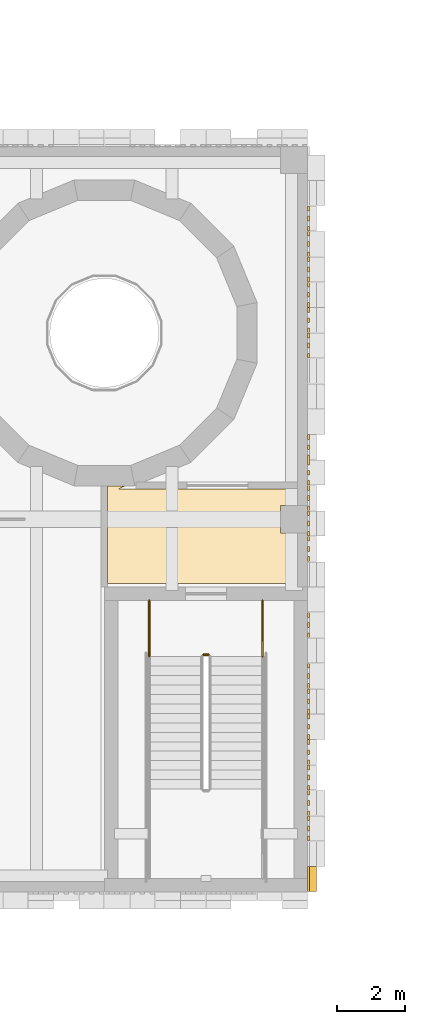
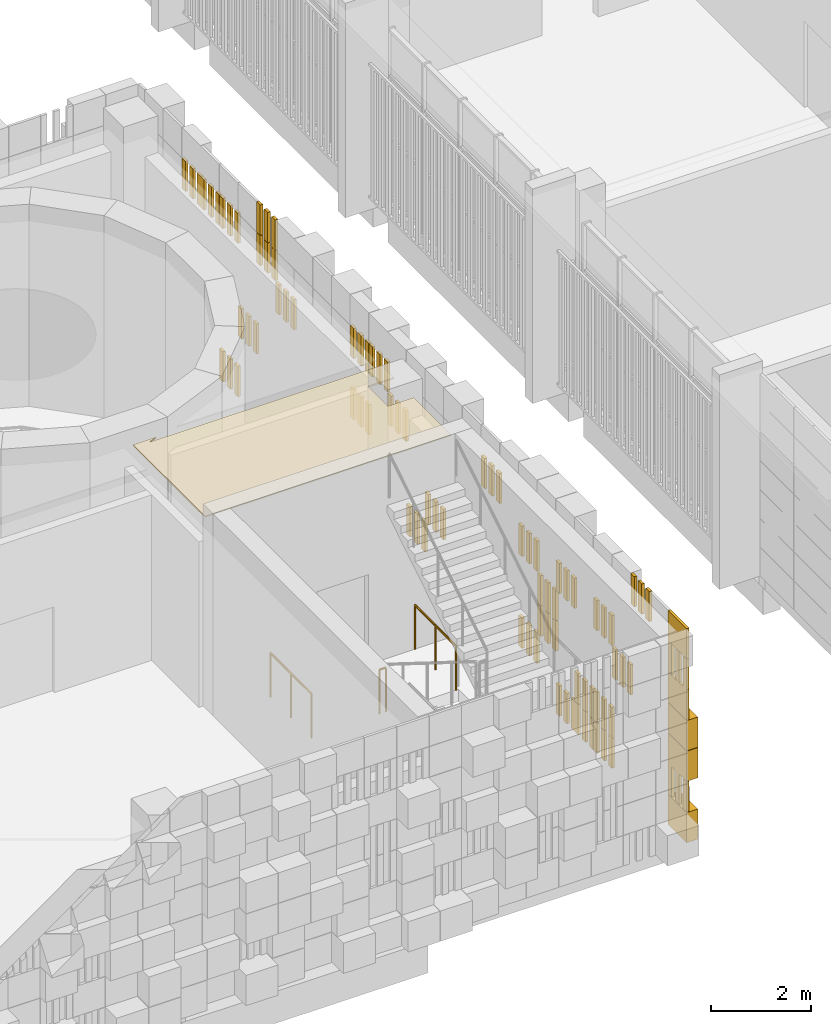
# One storey, part 105 of 125: 3 railings, 2 coverings.
"""IFC4 building model written with IfcOpenShell, lengths in metres."""

from ifc_helpers import new_model, si_unit, direction, frame, origin, origin_2d, place, context, subcontext, project, spatial, polyline, rectangle, circle, outline, extrude, material, layer, layer_set, type_object, element, save


model = new_model("IFC4")

# Units and contexts
model_context = context("Model", 3, precision=1e-05, world=origin(), true_north=direction((0.0, 1.0)))
body_context = subcontext(model_context, "Body", "Model", "MODEL_VIEW")
ifc_project = project(units=[si_unit("LENGTHUNIT", "METRE"), si_unit("AREAUNIT", "SQUARE_METRE"), si_unit("VOLUMEUNIT", "CUBIC_METRE"), si_unit("PLANEANGLEUNIT", "RADIAN"), si_unit("MASSUNIT", "GRAM", prefix="KILO")], contexts=[model_context])

# Site, building, storey
site_placement = place(None, origin())
site = spatial("IfcSite", under=ifc_project, at=site_placement, CompositionType="ELEMENT")
building_placement = place(site_placement, origin())
building = spatial("IfcBuilding", under=site, at=building_placement, Name="Sun Court Science Centre", CompositionType="ELEMENT")
storey_placement = place(building_placement, frame((0.0, 0.0, 6.0)))
storey = spatial("IfcBuildingStorey", under=building, at=storey_placement, Name="L01", CompositionType="ELEMENT", Elevation=6.0)

# Covering
ifc_material_1 = material(Name="Gypsum board")
ifc_layer_1 = layer(ifc_material_1, 0.030029296875)
ifc_layer_set_1 = layer_set([ifc_layer_1], Name="Gypsum board")
covering_type_1 = type_object("IfcCoveringType", Name="Ceiling suspended 600 module", PredefinedType="CEILING", material=ifc_layer_set_1)
covering_1_placement = place(storey_placement, frame((0.0, 0.0, 4.52001953125)))
element("IfcCovering", 1, at=covering_1_placement, inside=storey, type_object=covering_type_1, Name="L01-027 ceiling", PredefinedType="CEILING", context=body_context, shape_type="SweptSolid", body=[
    extrude(outline(polyline([(71.800048828125, 15.10009765625), (66.10009765625, 15.10009765625), (66.10009765625, 17.98828125), (66.635986328125, 17.98828125), (66.4345703125, 17.90478515625), (66.435546875, 17.89990234375), (71.800048828125, 17.89990234375), (71.800048828125, 17.39990234375), (71.199951171875, 17.39990234375), (71.199951171875, 16.60009765625), (71.800048828125, 16.60009765625), (71.800048828125, 15.10009765625)])), origin(), (0.0, 0.0, 1.0), 0.030029296875),
])

# Railings
ifc_material_2 = material(Name="Steel S275", Category="steel")
railing_type = type_object("IfcRailingType", Name="Guard 1100 steel balustrade", PredefinedType="GUARDRAIL", material=ifc_material_2)
railing_placement = place(storey_placement, frame((68.925048828125, 13.001953125, 0.0)))
element("IfcRailing", 2, at=railing_placement, inside=storey, type_object=railing_type, Name="L01 SB3 stair guard 6", PredefinedType="GUARDRAIL", context=body_context, shape_type="SweptSolid", body=[
    extrude(circle(Radius=0.02392578125, at=origin_2d()), frame((0.0, 0.0, 1.076171875), z_axis=(1.0, 0.0, 0.0), x_axis=(0.0, 1.0, 0.0)), (0.0, 0.0, 1.0), 0.14990234375),
    extrude(circle(Radius=0.02099609375, at=origin_2d()), origin(), (0.0, 0.0, 1.0), 1.052001953125),
    extrude(circle(Radius=0.02099609375, at=origin_2d()), frame((0.14990234375, 0.0, 0.0)), (0.0, 0.0, 1.0), 1.052001953125),
])
for number, where, name in (
    (3, (67.326904296875, 14.60009765625, 0.0), "L01 SB3 stair guard 7"),
    (4, (70.673095703125, 14.60009765625, 0.0), "L01 SB3 stair guard 8"),
):
    element("IfcRailing", number, at=place(storey_placement, frame(where)), inside=storey, type_object=railing_type, Name=name, PredefinedType="GUARDRAIL", context=body_context, shape_type="SweptSolid", body=[
        extrude(circle(Radius=0.02392578125, at=origin_2d()), frame((0.0, 0.0, 1.076171875), z_axis=(0.0, -1.0, 0.0), x_axis=(1.0, 0.0, 0.0)), (0.0, 0.0, 1.0), 1.648193359375),
        extrude(circle(Radius=0.02099609375, at=origin_2d()), origin(), (0.0, 0.0, 1.0), 1.052001953125),
        extrude(circle(Radius=0.02099609375, at=origin_2d()), frame((0.0, -0.82421875, 0.0)), (0.0, 0.0, 1.0), 1.052001953125),
        extrude(circle(Radius=0.02099609375, at=origin_2d()), frame((0.0, -1.648193359375, 0.0)), (0.0, 0.0, 1.0), 1.052001953125),
    ])

# Covering
ifc_material_3 = material(Name="Terracotta jali", Category="masonry")
ifc_layer_2 = layer(ifc_material_3, 0.06005859375)
ifc_layer_set_2 = layer_set([ifc_layer_2], Name="Terracotta jali")
covering_type_2 = type_object("IfcCoveringType", Name="Terracotta open jali panel", PredefinedType="CLADDING", material=ifc_layer_set_2)
covering_2_placement = place(storey_placement, frame((0.0, 0.0, -6.0)))
element("IfcCovering", 5, at=covering_2_placement, inside=storey, type_object=covering_type_2, Name="Open jali pixel cladding east face L01", PredefinedType="CLADDING", context=body_context, shape_type="SweptSolid", body=[
    extrude(rectangle(XDim=0.139892578125, YDim=0.06005859375, at=origin_2d()), frame((72.030029296875, 24.675048828125, 6.0048828125), z_axis=(0.0, 0.0, 1.0), x_axis=(0.0, -1.0, 0.0)), (0.0, 0.0, 1.0), 0.739990234375),
    extrude(rectangle(XDim=0.139892578125, YDim=0.06005859375, at=origin_2d()), frame((72.030029296875, 24.375, 6.0048828125), z_axis=(0.0, 0.0, 1.0), x_axis=(0.0, -1.0, 0.0)), (0.0, 0.0, 1.0), 0.739990234375),
    extrude(rectangle(XDim=0.139892578125, YDim=0.06005859375, at=origin_2d()), frame((72.030029296875, 24.074951171875, 6.0048828125), z_axis=(0.0, 0.0, 1.0), x_axis=(0.0, -1.0, 0.0)), (0.0, 0.0, 1.0), 0.739990234375),
    extrude(rectangle(XDim=0.139892578125, YDim=0.06005859375, at=origin_2d()), frame((72.030029296875, 11.175048828125, 6.0048828125), z_axis=(0.0, 0.0, 1.0), x_axis=(0.0, -1.0, 0.0)), (0.0, 0.0, 1.0), 0.739990234375),
    extrude(rectangle(XDim=0.139892578125, YDim=0.06005859375, at=origin_2d()), frame((72.030029296875, 10.875, 6.0048828125), z_axis=(0.0, 0.0, 1.0), x_axis=(0.0, -1.0, 0.0)), (0.0, 0.0, 1.0), 0.739990234375),
    extrude(rectangle(XDim=0.139892578125, YDim=0.06005859375, at=origin_2d()), frame((72.030029296875, 10.574951171875, 6.0048828125), z_axis=(0.0, 0.0, 1.0), x_axis=(0.0, -1.0, 0.0)), (0.0, 0.0, 1.0), 0.739990234375),
    extrude(rectangle(XDim=0.139892578125, YDim=0.06005859375, at=origin_2d()), frame((72.030029296875, 10.425048828125, 6.0048828125), z_axis=(0.0, 0.0, 1.0), x_axis=(0.0, -1.0, 0.0)), (0.0, 0.0, 1.0), 0.739990234375),
    extrude(rectangle(XDim=0.139892578125, YDim=0.06005859375, at=origin_2d()), frame((72.030029296875, 10.125, 6.0048828125), z_axis=(0.0, 0.0, 1.0), x_axis=(0.0, -1.0, 0.0)), (0.0, 0.0, 1.0), 0.739990234375),
    extrude(rectangle(XDim=0.139892578125, YDim=0.06005859375, at=origin_2d()), frame((72.030029296875, 9.824951171875, 6.0048828125), z_axis=(0.0, 0.0, 1.0), x_axis=(0.0, -1.0, 0.0)), (0.0, 0.0, 1.0), 0.739990234375),
    extrude(rectangle(XDim=0.139892578125, YDim=0.06005859375, at=origin_2d()), frame((72.030029296875, 9.675048828125, 6.0048828125), z_axis=(0.0, 0.0, 1.0), x_axis=(0.0, -1.0, 0.0)), (0.0, 0.0, 1.0), 0.739990234375),
    extrude(rectangle(XDim=0.139892578125, YDim=0.06005859375, at=origin_2d()), frame((72.030029296875, 9.375, 6.0048828125), z_axis=(0.0, 0.0, 1.0), x_axis=(0.0, -1.0, 0.0)), (0.0, 0.0, 1.0), 0.739990234375),
    extrude(rectangle(XDim=0.139892578125, YDim=0.06005859375, at=origin_2d()), frame((72.030029296875, 9.074951171875, 6.0048828125), z_axis=(0.0, 0.0, 1.0), x_axis=(0.0, -1.0, 0.0)), (0.0, 0.0, 1.0), 0.739990234375),
    extrude(rectangle(XDim=0.139892578125, YDim=0.06005859375, at=origin_2d()), frame((72.030029296875, 17.175048828125, 6.7548828125), z_axis=(0.0, 0.0, 1.0), x_axis=(0.0, -1.0, 0.0)), (0.0, 0.0, 1.0), 0.739990234375),
    extrude(rectangle(XDim=0.139892578125, YDim=0.06005859375, at=origin_2d()), frame((72.030029296875, 16.875, 6.7548828125), z_axis=(0.0, 0.0, 1.0), x_axis=(0.0, -1.0, 0.0)), (0.0, 0.0, 1.0), 0.739990234375),
    extrude(rectangle(XDim=0.139892578125, YDim=0.06005859375, at=origin_2d()), frame((72.030029296875, 16.574951171875, 6.7548828125), z_axis=(0.0, 0.0, 1.0), x_axis=(0.0, -1.0, 0.0)), (0.0, 0.0, 1.0), 0.739990234375),
    extrude(rectangle(XDim=0.139892578125, YDim=0.06005859375, at=origin_2d()), frame((72.030029296875, 12.675048828125, 6.7548828125), z_axis=(0.0, 0.0, 1.0), x_axis=(0.0, -1.0, 0.0)), (0.0, 0.0, 1.0), 0.739990234375),
    extrude(rectangle(XDim=0.139892578125, YDim=0.06005859375, at=origin_2d()), frame((72.030029296875, 12.375, 6.7548828125), z_axis=(0.0, 0.0, 1.0), x_axis=(0.0, -1.0, 0.0)), (0.0, 0.0, 1.0), 0.739990234375),
    extrude(rectangle(XDim=0.139892578125, YDim=0.06005859375, at=origin_2d()), frame((72.030029296875, 12.074951171875, 6.7548828125), z_axis=(0.0, 0.0, 1.0), x_axis=(0.0, -1.0, 0.0)), (0.0, 0.0, 1.0), 0.739990234375),
    extrude(rectangle(XDim=0.139892578125, YDim=0.06005859375, at=origin_2d()), frame((72.030029296875, 10.425048828125, 6.7548828125), z_axis=(0.0, 0.0, 1.0), x_axis=(0.0, -1.0, 0.0)), (0.0, 0.0, 1.0), 0.739990234375),
    extrude(rectangle(XDim=0.139892578125, YDim=0.06005859375, at=origin_2d()), frame((72.030029296875, 10.125, 6.7548828125), z_axis=(0.0, 0.0, 1.0), x_axis=(0.0, -1.0, 0.0)), (0.0, 0.0, 1.0), 0.739990234375),
    extrude(rectangle(XDim=0.139892578125, YDim=0.06005859375, at=origin_2d()), frame((72.030029296875, 9.824951171875, 6.7548828125), z_axis=(0.0, 0.0, 1.0), x_axis=(0.0, -1.0, 0.0)), (0.0, 0.0, 1.0), 0.739990234375),
    extrude(rectangle(XDim=0.139892578125, YDim=0.06005859375, at=origin_2d()), frame((72.030029296875, 9.675048828125, 6.7548828125), z_axis=(0.0, 0.0, 1.0), x_axis=(0.0, -1.0, 0.0)), (0.0, 0.0, 1.0), 0.739990234375),
    extrude(rectangle(XDim=0.139892578125, YDim=0.06005859375, at=origin_2d()), frame((72.030029296875, 9.375, 6.7548828125), z_axis=(0.0, 0.0, 1.0), x_axis=(0.0, -1.0, 0.0)), (0.0, 0.0, 1.0), 0.739990234375),
    extrude(rectangle(XDim=0.139892578125, YDim=0.06005859375, at=origin_2d()), frame((72.030029296875, 9.074951171875, 6.7548828125), z_axis=(0.0, 0.0, 1.0), x_axis=(0.0, -1.0, 0.0)), (0.0, 0.0, 1.0), 0.739990234375),
    extrude(rectangle(XDim=0.139892578125, YDim=0.06005859375, at=origin_2d()), frame((72.030029296875, 6.675048828125, 6.7548828125), z_axis=(0.0, 0.0, 1.0), x_axis=(0.0, -1.0, 0.0)), (0.0, 0.0, 1.0), 0.739990234375),
    extrude(rectangle(XDim=0.139892578125, YDim=0.06005859375, at=origin_2d()), frame((72.030029296875, 6.375, 6.7548828125), z_axis=(0.0, 0.0, 1.0), x_axis=(0.0, -1.0, 0.0)), (0.0, 0.0, 1.0), 0.739990234375),
    extrude(rectangle(XDim=0.139892578125, YDim=0.06005859375, at=origin_2d()), frame((72.030029296875, 6.074951171875, 6.7548828125), z_axis=(0.0, 0.0, 1.0), x_axis=(0.0, -1.0, 0.0)), (0.0, 0.0, 1.0), 0.739990234375),
    extrude(rectangle(XDim=0.139892578125, YDim=0.06005859375, at=origin_2d()), frame((72.030029296875, 23.925048828125, 7.5048828125), z_axis=(0.0, 0.0, 1.0), x_axis=(0.0, -1.0, 0.0)), (0.0, 0.0, 1.0), 0.739990234375),
    extrude(rectangle(XDim=0.139892578125, YDim=0.06005859375, at=origin_2d()), frame((72.030029296875, 23.625, 7.5048828125), z_axis=(0.0, 0.0, 1.0), x_axis=(0.0, -1.0, 0.0)), (0.0, 0.0, 1.0), 0.739990234375),
    extrude(rectangle(XDim=0.139892578125, YDim=0.06005859375, at=origin_2d()), frame((72.030029296875, 23.324951171875, 7.5048828125), z_axis=(0.0, 0.0, 1.0), x_axis=(0.0, -1.0, 0.0)), (0.0, 0.0, 1.0), 0.739990234375),
    extrude(rectangle(XDim=0.139892578125, YDim=0.06005859375, at=origin_2d()), frame((72.030029296875, 16.425048828125, 7.5048828125), z_axis=(0.0, 0.0, 1.0), x_axis=(0.0, -1.0, 0.0)), (0.0, 0.0, 1.0), 0.739990234375),
    extrude(rectangle(XDim=0.139892578125, YDim=0.06005859375, at=origin_2d()), frame((72.030029296875, 16.125, 7.5048828125), z_axis=(0.0, 0.0, 1.0), x_axis=(0.0, -1.0, 0.0)), (0.0, 0.0, 1.0), 0.739990234375),
    extrude(rectangle(XDim=0.139892578125, YDim=0.06005859375, at=origin_2d()), frame((72.030029296875, 15.824951171875, 7.5048828125), z_axis=(0.0, 0.0, 1.0), x_axis=(0.0, -1.0, 0.0)), (0.0, 0.0, 1.0), 0.739990234375),
    extrude(rectangle(XDim=0.139892578125, YDim=0.06005859375, at=origin_2d()), frame((72.030029296875, 11.925048828125, 7.5048828125), z_axis=(0.0, 0.0, 1.0), x_axis=(0.0, -1.0, 0.0)), (0.0, 0.0, 1.0), 0.739990234375),
    extrude(rectangle(XDim=0.139892578125, YDim=0.06005859375, at=origin_2d()), frame((72.030029296875, 11.625, 7.5048828125), z_axis=(0.0, 0.0, 1.0), x_axis=(0.0, -1.0, 0.0)), (0.0, 0.0, 1.0), 0.739990234375),
    extrude(rectangle(XDim=0.139892578125, YDim=0.06005859375, at=origin_2d()), frame((72.030029296875, 11.324951171875, 7.5048828125), z_axis=(0.0, 0.0, 1.0), x_axis=(0.0, -1.0, 0.0)), (0.0, 0.0, 1.0), 0.739990234375),
    extrude(rectangle(XDim=0.139892578125, YDim=0.06005859375, at=origin_2d()), frame((72.030029296875, 19.425048828125, 8.2548828125), z_axis=(0.0, 0.0, 1.0), x_axis=(0.0, -1.0, 0.0)), (0.0, 0.0, 1.0), 0.739990234375),
    extrude(rectangle(XDim=0.139892578125, YDim=0.06005859375, at=origin_2d()), frame((72.030029296875, 19.125, 8.2548828125), z_axis=(0.0, 0.0, 1.0), x_axis=(0.0, -1.0, 0.0)), (0.0, 0.0, 1.0), 0.739990234375),
    extrude(rectangle(XDim=0.139892578125, YDim=0.06005859375, at=origin_2d()), frame((72.030029296875, 18.824951171875, 8.2548828125), z_axis=(0.0, 0.0, 1.0), x_axis=(0.0, -1.0, 0.0)), (0.0, 0.0, 1.0), 0.739990234375),
    extrude(rectangle(XDim=0.139892578125, YDim=0.06005859375, at=origin_2d()), frame((72.030029296875, 11.925048828125, 8.2548828125), z_axis=(0.0, 0.0, 1.0), x_axis=(0.0, -1.0, 0.0)), (0.0, 0.0, 1.0), 0.739990234375),
    extrude(rectangle(XDim=0.139892578125, YDim=0.06005859375, at=origin_2d()), frame((72.030029296875, 11.625, 8.2548828125), z_axis=(0.0, 0.0, 1.0), x_axis=(0.0, -1.0, 0.0)), (0.0, 0.0, 1.0), 0.739990234375),
    extrude(rectangle(XDim=0.139892578125, YDim=0.06005859375, at=origin_2d()), frame((72.030029296875, 11.324951171875, 8.2548828125), z_axis=(0.0, 0.0, 1.0), x_axis=(0.0, -1.0, 0.0)), (0.0, 0.0, 1.0), 0.739990234375),
    extrude(rectangle(XDim=0.139892578125, YDim=0.06005859375, at=origin_2d()), frame((72.030029296875, 8.925048828125, 8.2548828125), z_axis=(0.0, 0.0, 1.0), x_axis=(0.0, -1.0, 0.0)), (0.0, 0.0, 1.0), 0.739990234375),
    extrude(rectangle(XDim=0.139892578125, YDim=0.06005859375, at=origin_2d()), frame((72.030029296875, 8.625, 8.2548828125), z_axis=(0.0, 0.0, 1.0), x_axis=(0.0, -1.0, 0.0)), (0.0, 0.0, 1.0), 0.739990234375),
    extrude(rectangle(XDim=0.139892578125, YDim=0.06005859375, at=origin_2d()), frame((72.030029296875, 8.324951171875, 8.2548828125), z_axis=(0.0, 0.0, 1.0), x_axis=(0.0, -1.0, 0.0)), (0.0, 0.0, 1.0), 0.739990234375),
    extrude(rectangle(XDim=0.139892578125, YDim=0.06005859375, at=origin_2d()), frame((72.030029296875, 22.425048828125, 9.0048828125), z_axis=(0.0, 0.0, 1.0), x_axis=(0.0, -1.0, 0.0)), (0.0, 0.0, 1.0), 0.739990234375),
    extrude(rectangle(XDim=0.139892578125, YDim=0.06005859375, at=origin_2d()), frame((72.030029296875, 22.125, 9.0048828125), z_axis=(0.0, 0.0, 1.0), x_axis=(0.0, -1.0, 0.0)), (0.0, 0.0, 1.0), 0.739990234375),
    extrude(rectangle(XDim=0.139892578125, YDim=0.06005859375, at=origin_2d()), frame((72.030029296875, 21.824951171875, 9.0048828125), z_axis=(0.0, 0.0, 1.0), x_axis=(0.0, -1.0, 0.0)), (0.0, 0.0, 1.0), 0.739990234375),
    extrude(rectangle(XDim=0.139892578125, YDim=0.06005859375, at=origin_2d()), frame((72.030029296875, 17.925048828125, 9.0048828125), z_axis=(0.0, 0.0, 1.0), x_axis=(0.0, -1.0, 0.0)), (0.0, 0.0, 1.0), 0.739990234375),
    extrude(rectangle(XDim=0.139892578125, YDim=0.06005859375, at=origin_2d()), frame((72.030029296875, 17.625, 9.0048828125), z_axis=(0.0, 0.0, 1.0), x_axis=(0.0, -1.0, 0.0)), (0.0, 0.0, 1.0), 0.739990234375),
    extrude(rectangle(XDim=0.139892578125, YDim=0.06005859375, at=origin_2d()), frame((72.030029296875, 17.324951171875, 9.0048828125), z_axis=(0.0, 0.0, 1.0), x_axis=(0.0, -1.0, 0.0)), (0.0, 0.0, 1.0), 0.739990234375),
    extrude(rectangle(XDim=0.139892578125, YDim=0.06005859375, at=origin_2d()), frame((72.030029296875, 12.675048828125, 9.0048828125), z_axis=(0.0, 0.0, 1.0), x_axis=(0.0, -1.0, 0.0)), (0.0, 0.0, 1.0), 0.739990234375),
    extrude(rectangle(XDim=0.139892578125, YDim=0.06005859375, at=origin_2d()), frame((72.030029296875, 12.375, 9.0048828125), z_axis=(0.0, 0.0, 1.0), x_axis=(0.0, -1.0, 0.0)), (0.0, 0.0, 1.0), 0.739990234375),
    extrude(rectangle(XDim=0.139892578125, YDim=0.06005859375, at=origin_2d()), frame((72.030029296875, 12.074951171875, 9.0048828125), z_axis=(0.0, 0.0, 1.0), x_axis=(0.0, -1.0, 0.0)), (0.0, 0.0, 1.0), 0.739990234375),
    extrude(rectangle(XDim=0.139892578125, YDim=0.06005859375, at=origin_2d()), frame((72.030029296875, 11.175048828125, 9.0048828125), z_axis=(0.0, 0.0, 1.0), x_axis=(0.0, -1.0, 0.0)), (0.0, 0.0, 1.0), 0.739990234375),
    extrude(rectangle(XDim=0.139892578125, YDim=0.06005859375, at=origin_2d()), frame((72.030029296875, 10.875, 9.0048828125), z_axis=(0.0, 0.0, 1.0), x_axis=(0.0, -1.0, 0.0)), (0.0, 0.0, 1.0), 0.739990234375),
    extrude(rectangle(XDim=0.139892578125, YDim=0.06005859375, at=origin_2d()), frame((72.030029296875, 10.574951171875, 9.0048828125), z_axis=(0.0, 0.0, 1.0), x_axis=(0.0, -1.0, 0.0)), (0.0, 0.0, 1.0), 0.739990234375),
    extrude(rectangle(XDim=0.139892578125, YDim=0.06005859375, at=origin_2d()), frame((72.030029296875, 9.675048828125, 9.0048828125), z_axis=(0.0, 0.0, 1.0), x_axis=(0.0, -1.0, 0.0)), (0.0, 0.0, 1.0), 0.739990234375),
    extrude(rectangle(XDim=0.139892578125, YDim=0.06005859375, at=origin_2d()), frame((72.030029296875, 9.375, 9.0048828125), z_axis=(0.0, 0.0, 1.0), x_axis=(0.0, -1.0, 0.0)), (0.0, 0.0, 1.0), 0.739990234375),
    extrude(rectangle(XDim=0.139892578125, YDim=0.06005859375, at=origin_2d()), frame((72.030029296875, 9.074951171875, 9.0048828125), z_axis=(0.0, 0.0, 1.0), x_axis=(0.0, -1.0, 0.0)), (0.0, 0.0, 1.0), 0.739990234375),
    extrude(rectangle(XDim=0.139892578125, YDim=0.06005859375, at=origin_2d()), frame((72.030029296875, 26.175048828125, 9.7548828125), z_axis=(0.0, 0.0, 1.0), x_axis=(0.0, -1.0, 0.0)), (0.0, 0.0, 1.0), 0.739990234375),
    extrude(rectangle(XDim=0.139892578125, YDim=0.06005859375, at=origin_2d()), frame((72.030029296875, 25.875, 9.7548828125), z_axis=(0.0, 0.0, 1.0), x_axis=(0.0, -1.0, 0.0)), (0.0, 0.0, 1.0), 0.739990234375),
    extrude(rectangle(XDim=0.139892578125, YDim=0.06005859375, at=origin_2d()), frame((72.030029296875, 25.574951171875, 9.7548828125), z_axis=(0.0, 0.0, 1.0), x_axis=(0.0, -1.0, 0.0)), (0.0, 0.0, 1.0), 0.739990234375),
    extrude(rectangle(XDim=0.139892578125, YDim=0.06005859375, at=origin_2d()), frame((72.030029296875, 25.425048828125, 9.7548828125), z_axis=(0.0, 0.0, 1.0), x_axis=(0.0, -1.0, 0.0)), (0.0, 0.0, 1.0), 0.739990234375),
    extrude(rectangle(XDim=0.139892578125, YDim=0.06005859375, at=origin_2d()), frame((72.030029296875, 25.125, 9.7548828125), z_axis=(0.0, 0.0, 1.0), x_axis=(0.0, -1.0, 0.0)), (0.0, 0.0, 1.0), 0.739990234375),
    extrude(rectangle(XDim=0.139892578125, YDim=0.06005859375, at=origin_2d()), frame((72.030029296875, 24.824951171875, 9.7548828125), z_axis=(0.0, 0.0, 1.0), x_axis=(0.0, -1.0, 0.0)), (0.0, 0.0, 1.0), 0.739990234375),
    extrude(rectangle(XDim=0.139892578125, YDim=0.06005859375, at=origin_2d()), frame((72.030029296875, 24.675048828125, 9.7548828125), z_axis=(0.0, 0.0, 1.0), x_axis=(0.0, -1.0, 0.0)), (0.0, 0.0, 1.0), 0.739990234375),
    extrude(rectangle(XDim=0.139892578125, YDim=0.06005859375, at=origin_2d()), frame((72.030029296875, 24.375, 9.7548828125), z_axis=(0.0, 0.0, 1.0), x_axis=(0.0, -1.0, 0.0)), (0.0, 0.0, 1.0), 0.739990234375),
    extrude(rectangle(XDim=0.139892578125, YDim=0.06005859375, at=origin_2d()), frame((72.030029296875, 24.074951171875, 9.7548828125), z_axis=(0.0, 0.0, 1.0), x_axis=(0.0, -1.0, 0.0)), (0.0, 0.0, 1.0), 0.739990234375),
    extrude(rectangle(XDim=0.139892578125, YDim=0.06005859375, at=origin_2d()), frame((72.030029296875, 23.175048828125, 9.7548828125), z_axis=(0.0, 0.0, 1.0), x_axis=(0.0, -1.0, 0.0)), (0.0, 0.0, 1.0), 0.739990234375),
    extrude(rectangle(XDim=0.139892578125, YDim=0.06005859375, at=origin_2d()), frame((72.030029296875, 22.875, 9.7548828125), z_axis=(0.0, 0.0, 1.0), x_axis=(0.0, -1.0, 0.0)), (0.0, 0.0, 1.0), 0.739990234375),
    extrude(rectangle(XDim=0.139892578125, YDim=0.06005859375, at=origin_2d()), frame((72.030029296875, 22.574951171875, 9.7548828125), z_axis=(0.0, 0.0, 1.0), x_axis=(0.0, -1.0, 0.0)), (0.0, 0.0, 1.0), 0.739990234375),
    extrude(rectangle(XDim=0.139892578125, YDim=0.06005859375, at=origin_2d()), frame((72.030029296875, 19.425048828125, 9.7548828125), z_axis=(0.0, 0.0, 1.0), x_axis=(0.0, -1.0, 0.0)), (0.0, 0.0, 1.0), 0.739990234375),
    extrude(rectangle(XDim=0.139892578125, YDim=0.06005859375, at=origin_2d()), frame((72.030029296875, 19.125, 9.7548828125), z_axis=(0.0, 0.0, 1.0), x_axis=(0.0, -1.0, 0.0)), (0.0, 0.0, 1.0), 0.739990234375),
    extrude(rectangle(XDim=0.139892578125, YDim=0.06005859375, at=origin_2d()), frame((72.030029296875, 18.824951171875, 9.7548828125), z_axis=(0.0, 0.0, 1.0), x_axis=(0.0, -1.0, 0.0)), (0.0, 0.0, 1.0), 0.739990234375),
    extrude(rectangle(XDim=0.139892578125, YDim=0.06005859375, at=origin_2d()), frame((72.030029296875, 18.675048828125, 9.7548828125), z_axis=(0.0, 0.0, 1.0), x_axis=(0.0, -1.0, 0.0)), (0.0, 0.0, 1.0), 0.739990234375),
    extrude(rectangle(XDim=0.139892578125, YDim=0.06005859375, at=origin_2d()), frame((72.030029296875, 18.375, 9.7548828125), z_axis=(0.0, 0.0, 1.0), x_axis=(0.0, -1.0, 0.0)), (0.0, 0.0, 1.0), 0.739990234375),
    extrude(rectangle(XDim=0.139892578125, YDim=0.06005859375, at=origin_2d()), frame((72.030029296875, 18.074951171875, 9.7548828125), z_axis=(0.0, 0.0, 1.0), x_axis=(0.0, -1.0, 0.0)), (0.0, 0.0, 1.0), 0.739990234375),
    extrude(rectangle(XDim=0.139892578125, YDim=0.06005859375, at=origin_2d()), frame((72.030029296875, 14.175048828125, 9.7548828125), z_axis=(0.0, 0.0, 1.0), x_axis=(0.0, -1.0, 0.0)), (0.0, 0.0, 1.0), 0.739990234375),
    extrude(rectangle(XDim=0.139892578125, YDim=0.06005859375, at=origin_2d()), frame((72.030029296875, 13.875, 9.7548828125), z_axis=(0.0, 0.0, 1.0), x_axis=(0.0, -1.0, 0.0)), (0.0, 0.0, 1.0), 0.739990234375),
    extrude(rectangle(XDim=0.139892578125, YDim=0.06005859375, at=origin_2d()), frame((72.030029296875, 13.574951171875, 9.7548828125), z_axis=(0.0, 0.0, 1.0), x_axis=(0.0, -1.0, 0.0)), (0.0, 0.0, 1.0), 0.739990234375),
    extrude(rectangle(XDim=0.139892578125, YDim=0.06005859375, at=origin_2d()), frame((72.030029296875, 6.675048828125, 9.7548828125), z_axis=(0.0, 0.0, 1.0), x_axis=(0.0, -1.0, 0.0)), (0.0, 0.0, 1.0), 0.739990234375),
    extrude(rectangle(XDim=0.139892578125, YDim=0.06005859375, at=origin_2d()), frame((72.030029296875, 6.375, 9.7548828125), z_axis=(0.0, 0.0, 1.0), x_axis=(0.0, -1.0, 0.0)), (0.0, 0.0, 1.0), 0.739990234375),
    extrude(rectangle(XDim=0.139892578125, YDim=0.06005859375, at=origin_2d()), frame((72.030029296875, 6.074951171875, 9.7548828125), z_axis=(0.0, 0.0, 1.0), x_axis=(0.0, -1.0, 0.0)), (0.0, 0.0, 1.0), 0.739990234375),
    extrude(rectangle(XDim=0.139892578125, YDim=0.06005859375, at=origin_2d()), frame((72.030029296875, 23.175048828125, 10.5048828125), z_axis=(0.0, 0.0, 1.0), x_axis=(0.0, -1.0, 0.0)), (0.0, 0.0, 1.0), 0.739990234375),
    extrude(rectangle(XDim=0.139892578125, YDim=0.06005859375, at=origin_2d()), frame((72.030029296875, 22.875, 10.5048828125), z_axis=(0.0, 0.0, 1.0), x_axis=(0.0, -1.0, 0.0)), (0.0, 0.0, 1.0), 0.739990234375),
    extrude(rectangle(XDim=0.139892578125, YDim=0.06005859375, at=origin_2d()), frame((72.030029296875, 22.574951171875, 10.5048828125), z_axis=(0.0, 0.0, 1.0), x_axis=(0.0, -1.0, 0.0)), (0.0, 0.0, 1.0), 0.739990234375),
    extrude(rectangle(XDim=0.139892578125, YDim=0.06005859375, at=origin_2d()), frame((72.030029296875, 8.175048828125, 10.5048828125), z_axis=(0.0, 0.0, 1.0), x_axis=(0.0, -1.0, 0.0)), (0.0, 0.0, 1.0), 0.739990234375),
    extrude(rectangle(XDim=0.139892578125, YDim=0.06005859375, at=origin_2d()), frame((72.030029296875, 7.875, 10.5048828125), z_axis=(0.0, 0.0, 1.0), x_axis=(0.0, -1.0, 0.0)), (0.0, 0.0, 1.0), 0.739990234375),
    extrude(rectangle(XDim=0.139892578125, YDim=0.06005859375, at=origin_2d()), frame((72.030029296875, 7.574951171875, 10.5048828125), z_axis=(0.0, 0.0, 1.0), x_axis=(0.0, -1.0, 0.0)), (0.0, 0.0, 1.0), 0.739990234375),
    extrude(rectangle(XDim=0.739990234375, YDim=0.260009765625, at=origin_2d()), frame((72.1298828125, 6.375, 7.5048828125), z_axis=(0.0, 0.0, 1.0), x_axis=(0.0, -1.0, 0.0)), (0.0, 0.0, 1.0), 0.739990234375),
    extrude(rectangle(XDim=0.739990234375, YDim=0.260009765625, at=origin_2d()), frame((72.1298828125, 6.375, 8.2548828125), z_axis=(0.0, 0.0, 1.0), x_axis=(0.0, -1.0, 0.0)), (0.0, 0.0, 1.0), 0.739990234375),
    extrude(rectangle(XDim=0.739990234375, YDim=0.06005859375, at=origin_2d()), frame((72.030029296875, 6.375, 10.5048828125), z_axis=(0.0, 0.0, 1.0), x_axis=(0.0, -1.0, 0.0)), (0.0, 0.0, 1.0), 0.739990234375),
    extrude(rectangle(XDim=0.739990234375, YDim=0.260009765625, at=origin_2d()), frame((72.1298828125, 6.375, 6.0048828125), z_axis=(0.0, 0.0, 1.0), x_axis=(0.0, -1.0, 0.0)), (0.0, 0.0, 1.0), 0.739990234375),
    extrude(rectangle(XDim=0.739990234375, YDim=0.06005859375, at=origin_2d()), frame((72.030029296875, 6.375, 9.0048828125), z_axis=(0.0, 0.0, 1.0), x_axis=(0.0, -1.0, 0.0)), (0.0, 0.0, 1.0), 0.739990234375),
])

save(model, "model.ifc")
